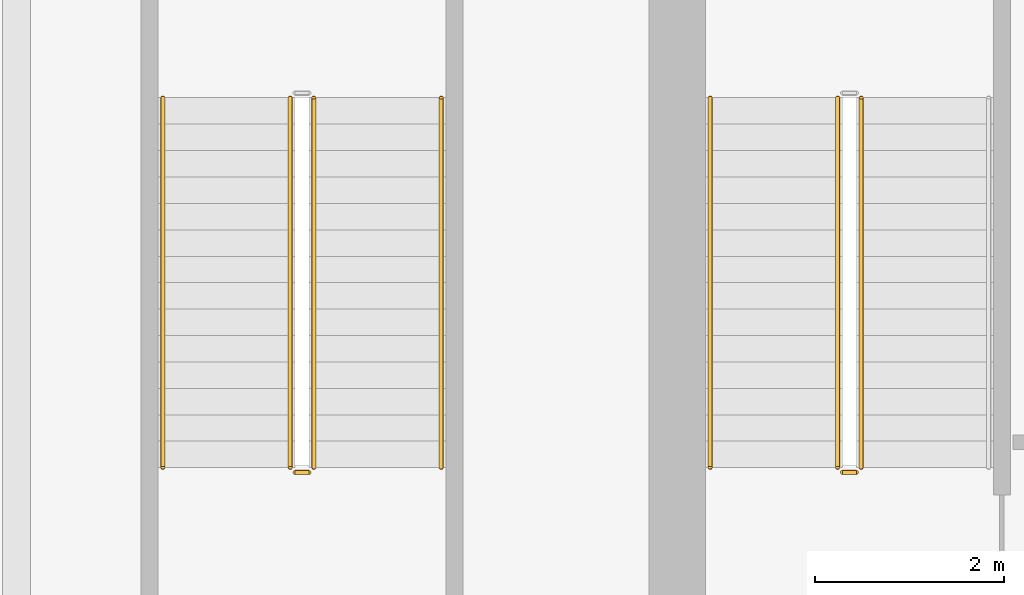
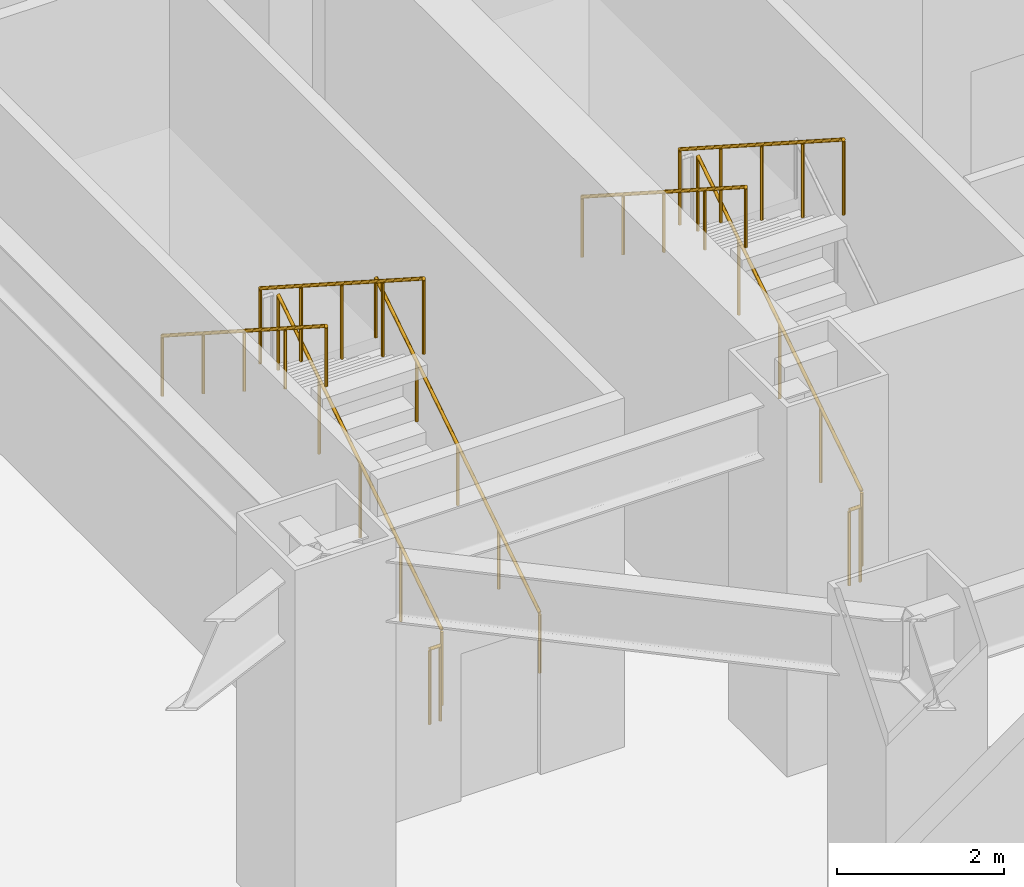
# One storey, part 46 of 52: 9 railings.
"""IFC4 building model written with IfcOpenShell, lengths in metres."""

from ifc_helpers import new_model, si_unit, direction, frame, origin, origin_2d, place, context, subcontext, project, spatial, circle, extrude, material, type_object, element, save


model = new_model("IFC4")

# Units and contexts
model_context = context("Model", 3, precision=1e-05, world=origin(), true_north=direction((0.0, 1.0)))
body_context = subcontext(model_context, "Body", "Model", "MODEL_VIEW")
ifc_project = project(units=[si_unit("LENGTHUNIT", "METRE"), si_unit("AREAUNIT", "SQUARE_METRE"), si_unit("VOLUMEUNIT", "CUBIC_METRE"), si_unit("PLANEANGLEUNIT", "RADIAN"), si_unit("MASSUNIT", "GRAM", prefix="KILO")], contexts=[model_context])

# Site, building, storey
site_placement = place(None, origin())
site = spatial("IfcSite", under=ifc_project, at=site_placement, CompositionType="ELEMENT")
building_placement = place(site_placement, origin())
building = spatial("IfcBuilding", under=site, at=building_placement, Name="Saevonmaru Cultural Tower", CompositionType="ELEMENT")
storey_placement = place(building_placement, frame((0.0, 0.0, 11.39990234375)))
storey = spatial("IfcBuildingStorey", under=building, at=storey_placement, Name="L02", CompositionType="ELEMENT", Elevation=11.39990234375)

# Railings
ifc_material_1 = material(Name="Architectural Painted Steel", Category="steel")
railing_type_1 = type_object("IfcRailingType", Name="RL-STAIR-GUARD", PredefinedType="GUARDRAIL", material=ifc_material_1)
railing_1_placement = place(storey_placement, frame((15.75, 44.85009765625, 0.18017578125)))
element("IfcRailing", 1, at=railing_1_placement, inside=storey, type_object=railing_type_1, Name="L02 ST-1 stair guard 1", PredefinedType="GUARDRAIL", context=body_context, shape_type="SweptSolid", body=[
    extrude(circle(Radius=0.02392578125, at=origin_2d()), frame((0.0, 0.0, 1.09619140625), z_axis=(0.0, 0.841171666519, 0.540768182723), x_axis=(-1.0, 0.0, 0.0)), (0.0, 0.0, 1.0), 4.66015625),
    extrude(circle(Radius=0.02099609375, at=origin_2d()), origin(), (0.0, 0.0, 1.0), 1.072021484375),
    extrude(circle(Radius=0.02099609375, at=origin_2d()), frame((0.0, 0.97998046875, 0.6298828125)), (0.0, 0.0, 1.0), 1.072021484375),
    extrude(circle(Radius=0.02099609375, at=origin_2d()), frame((0.0, 1.9599609375, 1.260009765625)), (0.0, 0.0, 1.0), 1.072021484375),
    extrude(circle(Radius=0.02099609375, at=origin_2d()), frame((0.0, 2.93994140625, 1.89013671875)), (0.0, 0.0, 1.0), 1.072021484375),
    extrude(circle(Radius=0.02099609375, at=origin_2d()), frame((0.0, 3.919921875, 2.52001953125)), (0.0, 0.0, 1.0), 1.072021484375),
])
railing_2_placement = place(storey_placement, frame((15.5, 48.77001953125, 2.880126953125)))
element("IfcRailing", 2, at=railing_2_placement, inside=storey, type_object=railing_type_1, Name="L02 ST-1 stair guard 3", PredefinedType="GUARDRAIL", context=body_context, shape_type="SweptSolid", body=[
    extrude(circle(Radius=0.02392578125, at=origin_2d()), frame((0.0, 0.0, 1.09619140625), z_axis=(0.0, -0.841171666519, 0.540768182723), x_axis=(1.0, 0.0, 0.0)), (0.0, 0.0, 1.0), 4.66015625),
    extrude(circle(Radius=0.02099609375, at=origin_2d()), origin(), (0.0, 0.0, 1.0), 1.072021484375),
    extrude(circle(Radius=0.02099609375, at=origin_2d()), frame((0.0, -0.97998046875, 0.6298828125)), (0.0, 0.0, 1.0), 1.072021484375),
    extrude(circle(Radius=0.02099609375, at=origin_2d()), frame((0.0, -1.9599609375, 1.260009765625)), (0.0, 0.0, 1.0), 1.072021484375),
    extrude(circle(Radius=0.02099609375, at=origin_2d()), frame((0.0, -2.93994140625, 1.89013671875)), (0.0, 0.0, 1.0), 1.072021484375),
    extrude(circle(Radius=0.02099609375, at=origin_2d()), frame((0.0, -3.919921875, 2.52001953125)), (0.0, 0.0, 1.0), 1.072021484375),
])
railing_3_placement = place(storey_placement, frame((15.699951171875, 44.800048828125, 0.0)))
element("IfcRailing", 3, at=railing_3_placement, inside=storey, type_object=railing_type_1, Name="L02 ST-1 stair guard 4", PredefinedType="GUARDRAIL", context=body_context, shape_type="SweptSolid", body=[
    extrude(circle(Radius=0.02392578125, at=origin_2d()), frame((0.0, 0.0, 1.09619140625), z_axis=(-1.0, 0.0, 0.0), x_axis=(0.0, -1.0, 0.0)), (0.0, 0.0, 1.0), 0.14990234375),
    extrude(circle(Radius=0.02099609375, at=origin_2d()), origin(), (0.0, 0.0, 1.0), 1.072021484375),
    extrude(circle(Radius=0.02099609375, at=origin_2d()), frame((-0.14990234375, 0.0, 0.0)), (0.0, 0.0, 1.0), 1.072021484375),
])
railing_4_placement = place(storey_placement, frame((9.949951171875, 44.85009765625, 0.18017578125)))
element("IfcRailing", 4, at=railing_4_placement, inside=storey, type_object=railing_type_1, Name="L02 ST-3 stair guard 1", PredefinedType="GUARDRAIL", context=body_context, shape_type="SweptSolid", body=[
    extrude(circle(Radius=0.02392578125, at=origin_2d()), frame((0.0, 0.0, 1.09619140625), z_axis=(0.0, 0.841171666519, 0.540768182723), x_axis=(-1.0, 0.0, 0.0)), (0.0, 0.0, 1.0), 4.66015625),
    extrude(circle(Radius=0.02099609375, at=origin_2d()), origin(), (0.0, 0.0, 1.0), 1.072021484375),
    extrude(circle(Radius=0.02099609375, at=origin_2d()), frame((0.0, 0.97998046875, 0.6298828125)), (0.0, 0.0, 1.0), 1.072021484375),
    extrude(circle(Radius=0.02099609375, at=origin_2d()), frame((0.0, 1.9599609375, 1.260009765625)), (0.0, 0.0, 1.0), 1.072021484375),
    extrude(circle(Radius=0.02099609375, at=origin_2d()), frame((0.0, 2.93994140625, 1.89013671875)), (0.0, 0.0, 1.0), 1.072021484375),
    extrude(circle(Radius=0.02099609375, at=origin_2d()), frame((0.0, 3.919921875, 2.52001953125)), (0.0, 0.0, 1.0), 1.072021484375),
])
railing_5_placement = place(storey_placement, frame((9.699951171875, 48.77001953125, 2.880126953125)))
element("IfcRailing", 5, at=railing_5_placement, inside=storey, type_object=railing_type_1, Name="L02 ST-3 stair guard 3", PredefinedType="GUARDRAIL", context=body_context, shape_type="SweptSolid", body=[
    extrude(circle(Radius=0.02392578125, at=origin_2d()), frame((0.0, 0.0, 1.09619140625), z_axis=(0.0, -0.841171666519, 0.540768182723), x_axis=(1.0, 0.0, 0.0)), (0.0, 0.0, 1.0), 4.66015625),
    extrude(circle(Radius=0.02099609375, at=origin_2d()), origin(), (0.0, 0.0, 1.0), 1.072021484375),
    extrude(circle(Radius=0.02099609375, at=origin_2d()), frame((0.0, -0.97998046875, 0.6298828125)), (0.0, 0.0, 1.0), 1.072021484375),
    extrude(circle(Radius=0.02099609375, at=origin_2d()), frame((0.0, -1.9599609375, 1.260009765625)), (0.0, 0.0, 1.0), 1.072021484375),
    extrude(circle(Radius=0.02099609375, at=origin_2d()), frame((0.0, -2.93994140625, 1.89013671875)), (0.0, 0.0, 1.0), 1.072021484375),
    extrude(circle(Radius=0.02099609375, at=origin_2d()), frame((0.0, -3.919921875, 2.52001953125)), (0.0, 0.0, 1.0), 1.072021484375),
])
railing_6_placement = place(storey_placement, frame((9.89990234375, 44.800048828125, 0.0)))
element("IfcRailing", 6, at=railing_6_placement, inside=storey, type_object=railing_type_1, Name="L02 ST-3 stair guard 4", PredefinedType="GUARDRAIL", context=body_context, shape_type="SweptSolid", body=[
    extrude(circle(Radius=0.02392578125, at=origin_2d()), frame((0.0, 0.0, 1.09619140625), z_axis=(-1.0, 0.0, 0.0), x_axis=(0.0, -1.0, 0.0)), (0.0, 0.0, 1.0), 0.14990234375),
    extrude(circle(Radius=0.02099609375, at=origin_2d()), origin(), (0.0, 0.0, 1.0), 1.072021484375),
    extrude(circle(Radius=0.02099609375, at=origin_2d()), frame((-0.14990234375, 0.0, 0.0)), (0.0, 0.0, 1.0), 1.072021484375),
])
ifc_material_2 = material(Name="Satin Bronze Anodised Aluminium", Category="aluminium")
railing_type_2 = type_object("IfcRailingType", Name="RL-STAIR-HANDRAIL", PredefinedType="HANDRAIL", material=ifc_material_2)
railing_7_placement = place(storey_placement, frame((14.14990234375, 48.77001953125, 2.880126953125)))
element("IfcRailing", 7, at=railing_7_placement, inside=storey, type_object=railing_type_2, Name="L02 ST-1 stair handrail 2", PredefinedType="HANDRAIL", context=body_context, shape_type="SweptSolid", body=[
    extrude(circle(Radius=0.02392578125, at=origin_2d()), frame((0.0, 0.0, 0.8759765625), z_axis=(0.0, -0.841171666519, 0.540768182723), x_axis=(1.0, 0.0, 0.0)), (0.0, 0.0, 1.0), 4.66015625),
    extrude(circle(Radius=0.02099609375, at=origin_2d()), origin(), (0.0, 0.0, 1.0), 0.851806640625),
    extrude(circle(Radius=0.02099609375, at=origin_2d()), frame((0.0, -0.97998046875, 0.6298828125)), (0.0, 0.0, 1.0), 0.851806640625),
    extrude(circle(Radius=0.02099609375, at=origin_2d()), frame((0.0, -1.9599609375, 1.260009765625)), (0.0, 0.0, 1.0), 0.851806640625),
    extrude(circle(Radius=0.02099609375, at=origin_2d()), frame((0.0, -2.93994140625, 1.89013671875)), (0.0, 0.0, 1.0), 0.851806640625),
    extrude(circle(Radius=0.02099609375, at=origin_2d()), frame((0.0, -3.919921875, 2.52001953125)), (0.0, 0.0, 1.0), 0.851806640625),
])
railing_8_placement = place(storey_placement, frame((11.300048828125, 44.85009765625, 0.18017578125)))
element("IfcRailing", 8, at=railing_8_placement, inside=storey, type_object=railing_type_2, Name="L02 ST-3 stair handrail 1", PredefinedType="HANDRAIL", context=body_context, shape_type="SweptSolid", body=[
    extrude(circle(Radius=0.02392578125, at=origin_2d()), frame((0.0, 0.0, 0.8759765625), z_axis=(0.0, 0.841171666519, 0.540768182723), x_axis=(-1.0, 0.0, 0.0)), (0.0, 0.0, 1.0), 4.66015625),
    extrude(circle(Radius=0.02099609375, at=origin_2d()), origin(), (0.0, 0.0, 1.0), 0.851806640625),
    extrude(circle(Radius=0.02099609375, at=origin_2d()), frame((0.0, 0.97998046875, 0.6298828125)), (0.0, 0.0, 1.0), 0.851806640625),
    extrude(circle(Radius=0.02099609375, at=origin_2d()), frame((0.0, 1.9599609375, 1.260009765625)), (0.0, 0.0, 1.0), 0.851806640625),
    extrude(circle(Radius=0.02099609375, at=origin_2d()), frame((0.0, 2.93994140625, 1.89013671875)), (0.0, 0.0, 1.0), 0.851806640625),
    extrude(circle(Radius=0.02099609375, at=origin_2d()), frame((0.0, 3.919921875, 2.52001953125)), (0.0, 0.0, 1.0), 0.851806640625),
])
railing_9_placement = place(storey_placement, frame((8.35009765625, 48.77001953125, 2.880126953125)))
element("IfcRailing", 9, at=railing_9_placement, inside=storey, type_object=railing_type_2, Name="L02 ST-3 stair handrail 2", PredefinedType="HANDRAIL", context=body_context, shape_type="SweptSolid", body=[
    extrude(circle(Radius=0.02392578125, at=origin_2d()), frame((0.0, 0.0, 0.8759765625), z_axis=(0.0, -0.841171666519, 0.540768182723), x_axis=(1.0, 0.0, 0.0)), (0.0, 0.0, 1.0), 4.66015625),
    extrude(circle(Radius=0.02099609375, at=origin_2d()), origin(), (0.0, 0.0, 1.0), 0.851806640625),
    extrude(circle(Radius=0.02099609375, at=origin_2d()), frame((0.0, -0.97998046875, 0.6298828125)), (0.0, 0.0, 1.0), 0.851806640625),
    extrude(circle(Radius=0.02099609375, at=origin_2d()), frame((0.0, -1.9599609375, 1.260009765625)), (0.0, 0.0, 1.0), 0.851806640625),
    extrude(circle(Radius=0.02099609375, at=origin_2d()), frame((0.0, -2.93994140625, 1.89013671875)), (0.0, 0.0, 1.0), 0.851806640625),
    extrude(circle(Radius=0.02099609375, at=origin_2d()), frame((0.0, -3.919921875, 2.52001953125)), (0.0, 0.0, 1.0), 0.851806640625),
])

save(model, "model.ifc")
